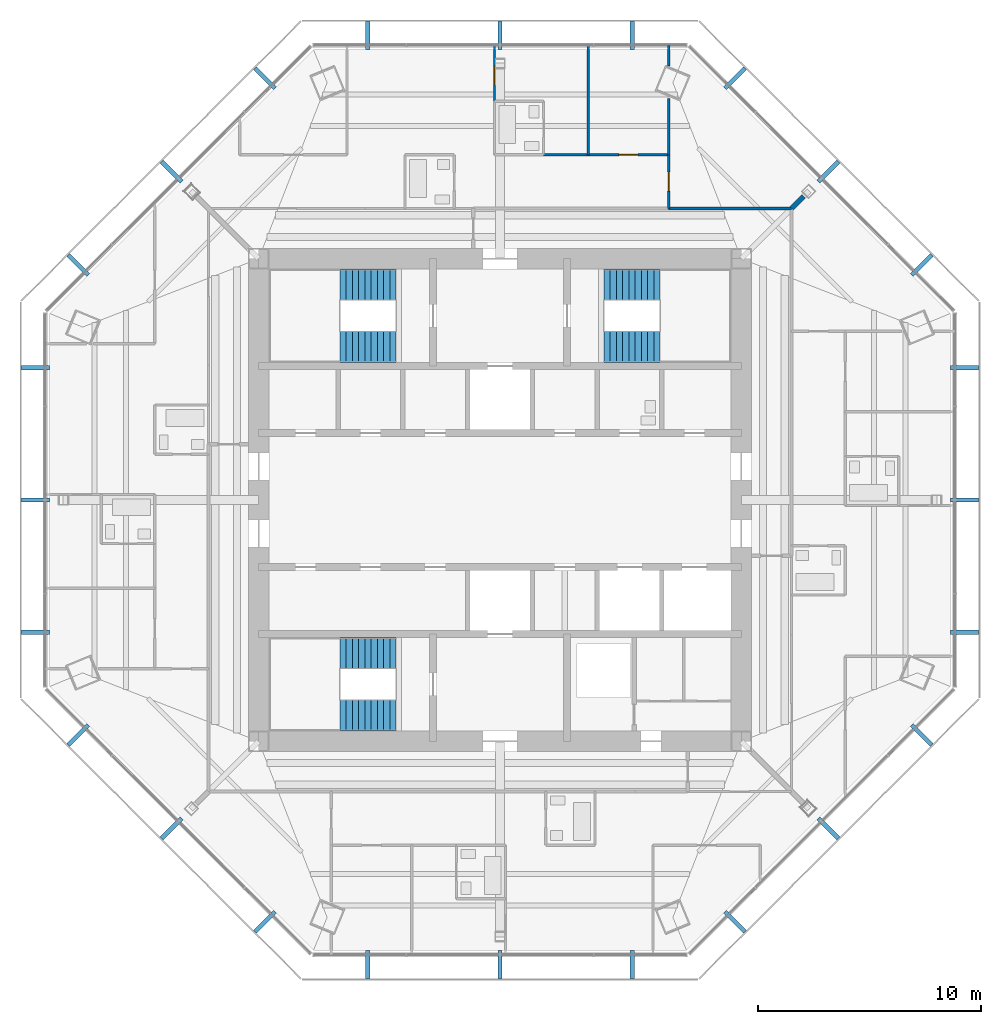
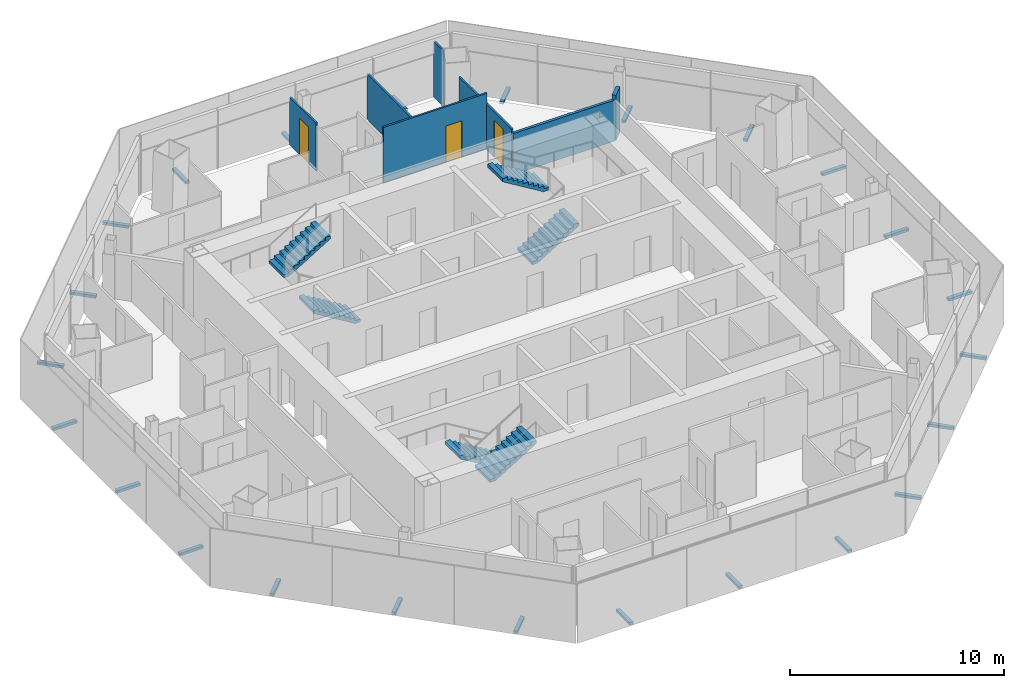
# One storey, part 13 of 15: 24 discrete accessories, 8 walls, 6 stair flights, 3 doors, 3 openings, 3 elements without a shape of their own.
"""IFC4 building model written with IfcOpenShell, lengths in metres."""

from ifc_helpers import new_model, si_unit, direction, frame, frame_2d, origin, origin_2d, place, context, subcontext, project, spatial, polyline, rectangle, outline, extrude, source, transform, mapped, material, layer, layer_set, type_object, type_shapes, element, fill, aggregate, save


model = new_model("IFC4")

# Units and contexts
model_context = context("Model", 3, precision=1e-05, world=origin(), true_north=direction((0.0, 1.0)))
body_context = subcontext(model_context, "Body", "Model", "MODEL_VIEW")
ifc_project = project(units=[si_unit("LENGTHUNIT", "METRE"), si_unit("AREAUNIT", "SQUARE_METRE"), si_unit("VOLUMEUNIT", "CUBIC_METRE"), si_unit("PLANEANGLEUNIT", "RADIAN"), si_unit("MASSUNIT", "GRAM", prefix="KILO")], contexts=[model_context])

# Site, building, storey
site_placement = place(None, origin())
site = spatial("IfcSite", under=ifc_project, at=site_placement, CompositionType="ELEMENT")
building_placement = place(site_placement, origin())
building = spatial("IfcBuilding", under=site, at=building_placement, Name="Mashrafa Tower", CompositionType="ELEMENT")
storey_placement = place(building_placement, frame((0.0, 0.0, 270.800048828125)))
storey = spatial("IfcBuildingStorey", under=building, at=storey_placement, Name="L65", CompositionType="ELEMENT", Elevation=270.800048828125)

# Walls
ifc_material_1 = material(Name="Gypsum board on steel studs", Category="steel")
ifc_layer_1 = layer(ifc_material_1, 0.199951171875)
ifc_layer_set_1 = layer_set([ifc_layer_1], Name="Acoustic partition 200 1 hr")
wall_type_1 = type_object("IfcWallType", Name="Acoustic partition 200 1 hr", PredefinedType="PARTITIONING", material=ifc_layer_set_1)
wall_1_placement = place(storey_placement, frame((13.586181640625, 13.586181640625, 0.0), z_axis=(0.0, 0.0, 1.0), x_axis=(-0.707106781187, -0.707106781187, 0.0)))
element("IfcWall", 1, at=wall_1_placement, inside=storey, type_object=wall_type_1, Name="Acoustic wall L65-046", PredefinedType="PARTITIONING", context=body_context, shape_type="SweptSolid", body=[
    extrude(rectangle(XDim=0.75830078125, YDim=0.199951171875, at=frame_2d((0.379150390625, 0.0))), origin(), (0.0, 0.0, 1.0), 2.590576171875),
])
ifc_material_2 = material(Name="Gypsum board on steel studs", Category="steel")
ifc_layer_2 = layer(ifc_material_2, 0.14990234375)
ifc_layer_set_2 = layer_set([ifc_layer_2], Name="Corridor partition 150 1 hr")
wall_type_2 = type_object("IfcWallType", Name="Corridor partition 150 1 hr", PredefinedType="PARTITIONING", material=ifc_layer_set_2)
wall_2_placement = place(storey_placement, frame((13.050048828125, 13.050048828125, 0.0), z_axis=(0.0, 0.0, 1.0), x_axis=(-1.0, 0.0, 0.0)))
element("IfcWall", 2, at=wall_2_placement, inside=storey, type_object=wall_type_2, Name="Corridor wall L65-004", PredefinedType="PARTITIONING", context=body_context, shape_type="SweptSolid", body=[
    extrude(rectangle(XDim=5.5009765625, YDim=0.14990234375, at=frame_2d((2.75048828125, 0.0))), origin(), (0.0, 0.0, 1.0), 2.349365234375),
])
ifc_material_3 = material(Name="Gypsum board on steel studs", Category="steel")
ifc_layer_3 = layer(ifc_material_3, 0.10009765625)
ifc_layer_set_3 = layer_set([ifc_layer_3], Name="Partition 100")
wall_type_3 = type_object("IfcWallType", Name="Partition 100", PredefinedType="PARTITIONING", material=ifc_layer_set_3)
wall_3_placement = place(storey_placement, frame((3.949951171875, 15.449951171875, 0.0), z_axis=(0.0, 0.0, 1.0), x_axis=(0.0, 1.0, 0.0)))
element("IfcWall", 3, at=wall_3_placement, inside=storey, type_object=wall_type_3, Name="Partition wall L65-058", PredefinedType="PARTITIONING", context=body_context, shape_type="SweptSolid", body=[
    extrude(rectangle(XDim=4.88623046875, YDim=0.10009765625, at=frame_2d((2.443115234375, 0.0))), origin(), (0.0, 0.0, 1.0), 2.590576171875),
])

# Wall, opening, door
wall_4_placement = place(storey_placement, frame((-0.25, 20.338134765625, 0.0), z_axis=(0.0, 0.0, 1.0), x_axis=(0.0, -1.0, 0.0)))
wall_4 = element("IfcWall", 4, at=wall_4_placement, inside=storey, type_object=wall_type_3, Name="Partition wall L65-059", PredefinedType="PARTITIONING", context=body_context, shape_type="SweptSolid", body=[
    extrude(rectangle(XDim=2.488037109375, YDim=0.10009765625, at=frame_2d((1.244140625, 0.0))), origin(), (0.0, 0.0, 1.0), 2.740234375),
])
opening_1_placement = place(wall_4_placement, frame((0.930908203125, 0.0, 0.0)))
opening_1 = element("IfcOpeningElement", 5, at=opening_1_placement, cuts=wall_4, Name="Opening 65.013", PredefinedType="OPENING", context=body_context, shape_type="SweptSolid", body=[
    extrude(rectangle(XDim=0.85009765625, YDim=2.10009765625, at=frame_2d((0.425048828125, 1.050048828125))), frame((0.0, 0.06005859375, 0.0), z_axis=(0.0, -1.0, 0.0), x_axis=(1.0, 0.0, 0.0)), (0.0, 0.0, 1.0), 0.1201171875),
])
ifc_material_4 = material(Name="Timber door", Category="wood")
door_type = type_object("IfcDoorType", Name="Bedroom door 850 x 2100", OperationType="USERDEFINED", PredefinedType="DOOR", material=ifc_material_4)
door_1_placement = place(opening_1_placement, frame((0.85009765625, 0.0, 0.0), z_axis=(0.0, 0.0, 1.0), x_axis=(-1.0, 0.0, 0.0)))
door_1 = element("IfcDoor", 6, at=door_1_placement, inside=storey, type_object=door_type, Name="Apartment 6502 Bedroom 1 door", OperationType="SINGLE_SWING_RIGHT", OverallHeight=2.10009765625, OverallWidth=0.85009765625, PredefinedType="DOOR", context=body_context, shape_type="SweptSolid", body=[
    extrude(rectangle(XDim=0.85009765625, YDim=2.10009765625, at=frame_2d((0.425048828125, 1.050048828125))), frame((0.0, 0.02490234375, 0.0), z_axis=(0.0, -1.0, 0.0), x_axis=(1.0, 0.0, 0.0)), (0.0, 0.0, 1.0), 0.050048828125),
])
fill(opening_1, door_1)

wall_5_placement = place(storey_placement, frame((1.949951171875, 15.449951171875, 0.0), z_axis=(0.0, 0.0, 1.0), x_axis=(1.0, 0.0, 0.0)))
wall_5 = element("IfcWall", 7, at=wall_5_placement, inside=storey, type_object=wall_type_3, Name="Partition wall L65-060", PredefinedType="PARTITIONING", context=body_context, shape_type="SweptSolid", body=[
    extrude(rectangle(XDim=5.60009765625, YDim=0.10009765625, at=frame_2d((2.800048828125, 0.0))), origin(), (0.0, 0.0, 1.0), 3.199951171875),
])
opening_2_placement = place(wall_5_placement, frame((3.375, 0.0, 0.0)))
opening_2 = element("IfcOpeningElement", 8, at=opening_2_placement, cuts=wall_5, Name="Opening 65.014", PredefinedType="OPENING", context=body_context, shape_type="SweptSolid", body=[
    extrude(rectangle(XDim=0.85009765625, YDim=2.10009765625, at=frame_2d((0.425048828125, 1.050048828125))), frame((0.0, 0.06005859375, 0.0), z_axis=(0.0, -1.0, 0.0), x_axis=(1.0, 0.0, 0.0)), (0.0, 0.0, 1.0), 0.1201171875),
])
door_2_placement = place(opening_2_placement, origin())
door_2 = element("IfcDoor", 9, at=door_2_placement, inside=storey, type_object=door_type, Name="Apartment 6502 Bedroom 2 door", OperationType="SINGLE_SWING_LEFT", OverallHeight=2.10009765625, OverallWidth=0.85009765625, PredefinedType="DOOR", context=body_context, shape_type="SweptSolid", body=[
    extrude(rectangle(XDim=0.85009765625, YDim=2.10009765625, at=frame_2d((0.425048828125, 1.050048828125))), frame((0.0, 0.02490234375, 0.0), z_axis=(0.0, -1.0, 0.0), x_axis=(1.0, 0.0, 0.0)), (0.0, 0.0, 1.0), 0.050048828125),
])
fill(opening_2, door_2)

# Walls
wall_6_placement = place(storey_placement, frame((7.550048828125, 15.449951171875, 0.0), z_axis=(0.0, 0.0, 1.0), x_axis=(0.0, 1.0, 0.0)))
element("IfcWall", 10, at=wall_6_placement, inside=storey, type_object=wall_type_3, Name="Partition wall L65-061", PredefinedType="PARTITIONING", context=body_context, shape_type="SweptSolid", body=[
    extrude(rectangle(XDim=2.52001953125, YDim=0.10009765625, at=frame_2d((1.260009765625, 0.0))), origin(), (0.0, 0.0, 1.0), 2.590576171875),
])
wall_7_placement = place(storey_placement, frame((7.550048828125, 19.423095703125, 0.0), z_axis=(0.0, 0.0, 1.0), x_axis=(0.0, 1.0, 0.0)))
element("IfcWall", 11, at=wall_7_placement, inside=storey, type_object=wall_type_3, Name="Partition wall L65-062", PredefinedType="PARTITIONING", context=body_context, shape_type="SweptSolid", body=[
    extrude(rectangle(XDim=0.9130859375, YDim=0.10009765625, at=frame_2d((0.45654296875, 0.0))), origin(), (0.0, 0.0, 1.0), 3.199951171875),
])

# Wall, opening, door
wall_8_placement = place(storey_placement, frame((7.550048828125, 15.450927734375, 0.0), z_axis=(0.0, 0.0, 1.0), x_axis=(0.0, -1.0, 0.0)))
wall_8 = element("IfcWall", 12, at=wall_8_placement, inside=storey, type_object=wall_type_3, Name="Partition wall L65-064", PredefinedType="PARTITIONING", context=body_context, shape_type="SweptSolid", body=[
    extrude(rectangle(XDim=2.40087890625, YDim=0.10009765625, at=frame_2d((1.200439453125, 0.0))), origin(), (0.0, 0.0, 1.0), 2.590576171875),
])
opening_3_placement = place(wall_8_placement, frame((0.775390625, 0.0, 0.0)))
opening_3 = element("IfcOpeningElement", 13, at=opening_3_placement, cuts=wall_8, Name="Opening 65.015", PredefinedType="OPENING", context=body_context, shape_type="SweptSolid", body=[
    extrude(rectangle(XDim=0.85009765625, YDim=2.10009765625, at=frame_2d((0.425048828125, 1.050048828125))), frame((0.0, 0.06005859375, 0.0), z_axis=(0.0, -1.0, 0.0), x_axis=(1.0, 0.0, 0.0)), (0.0, 0.0, 1.0), 0.1201171875),
])
door_3_placement = place(opening_3_placement, origin())
door_3 = element("IfcDoor", 14, at=door_3_placement, inside=storey, type_object=door_type, Name="Apartment 6502 Bedroom 3 door", OperationType="SINGLE_SWING_RIGHT", OverallHeight=2.10009765625, OverallWidth=0.85009765625, PredefinedType="DOOR", context=body_context, shape_type="SweptSolid", body=[
    extrude(rectangle(XDim=0.85009765625, YDim=2.10009765625, at=frame_2d((0.425048828125, 1.050048828125))), frame((0.0, 0.02490234375, 0.0), z_axis=(0.0, -1.0, 0.0), x_axis=(1.0, 0.0, 0.0)), (0.0, 0.0, 1.0), 0.050048828125),
])
fill(opening_3, door_3)

# Stair, stair flights
ifc_material_5 = material(Name="Exit stair 1400")
stair_type = type_object("IfcStairType", Name="Exit stair 1400", PredefinedType="HALF_TURN_STAIR", material=ifc_material_5)
stair_1_placement = place(storey_placement, origin())
stair_1 = element("IfcStair", 15, at=stair_1_placement, inside=storey, type_object=stair_type, Name="Stair S1 L65", PredefinedType="HALF_TURN_STAIR")
ifc_material_6 = material(Name="Concrete C32/40", Category="concrete")
stair_flight_type = type_object("IfcStairFlightType", Name="Stair flight 1400", PredefinedType="STRAIGHT", material=ifc_material_6)
stair_flight_1_placement = place(storey_placement, frame((-4.64990234375, 6.85009765625, 0.0), z_axis=(0.0, 0.0, 1.0), x_axis=(-1.0, 0.0, 0.0)))
stair_flight_1 = element("IfcStairFlight", 16, at=stair_flight_1_placement, type_object=stair_flight_type, Name="S1 flight 1", NumberOfRisers=10, NumberOfTreads=9, PredefinedType="STRAIGHT", RiserHeight=0.17, TreadLength=0.28, context=body_context, shape_type="SweptSolid", body=[
    extrude(outline(polyline([(0.0, 0.0), (0.0, 0.169921875), (0.280029296875, 0.169921875), (0.280029296875, 0.340087890625), (0.56005859375, 0.340087890625), (0.56005859375, 0.510009765625), (0.840087890625, 0.510009765625), (0.840087890625, 0.679931640625), (1.1201171875, 0.679931640625), (1.1201171875, 0.85009765625), (1.39990234375, 0.85009765625), (1.39990234375, 1.02001953125), (1.679931640625, 1.02001953125), (1.679931640625, 1.18994140625), (1.9599609375, 1.18994140625), (1.9599609375, 1.360107421875), (2.239990234375, 1.360107421875), (2.239990234375, 1.530029296875), (2.52001953125, 1.530029296875), (2.52001953125, 1.699951171875), (2.52001953125, 1.354736328125), (0.288818359375, 0.0), (0.0, 0.0)])), frame((0.0, 0.699951171875, 0.0), z_axis=(0.0, -1.0, 0.0), x_axis=(1.0, 0.0, 0.0)), (0.0, 0.0, 1.0), 1.39990234375),
])
stair_flight_2_placement = place(storey_placement, frame((-7.169921875, 9.64990234375, 1.699951171875), z_axis=(0.0, 0.0, 1.0), x_axis=(1.0, 0.0, 0.0)))
stair_flight_2 = element("IfcStairFlight", 17, at=stair_flight_2_placement, type_object=stair_flight_type, Name="S1 flight 2", NumberOfRisers=10, NumberOfTreads=9, PredefinedType="STRAIGHT", RiserHeight=0.17, TreadLength=0.28, context=body_context, shape_type="SweptSolid", body=[
    extrude(outline(polyline([(0.0, 0.0), (0.0, 0.169921875), (0.280029296875, 0.169921875), (0.280029296875, 0.340087890625), (0.56005859375, 0.340087890625), (0.56005859375, 0.510009765625), (0.840087890625, 0.510009765625), (0.840087890625, 0.679931640625), (1.1201171875, 0.679931640625), (1.1201171875, 0.85009765625), (1.39990234375, 0.85009765625), (1.39990234375, 1.02001953125), (1.679931640625, 1.02001953125), (1.679931640625, 1.18994140625), (1.9599609375, 1.18994140625), (1.9599609375, 1.360107421875), (2.239990234375, 1.360107421875), (2.239990234375, 1.530029296875), (2.52001953125, 1.530029296875), (2.52001953125, 1.699951171875), (2.52001953125, 1.354736328125), (0.288818359375, 0.0), (0.0, 0.0)])), frame((0.0, 0.699951171875, 0.0), z_axis=(0.0, -1.0, 0.0), x_axis=(1.0, 0.0, 0.0)), (0.0, 0.0, 1.0), 1.39990234375),
])
aggregate(stair_1, [stair_flight_1, stair_flight_2])

stair_2_placement = place(storey_placement, origin())
stair_2 = element("IfcStair", 18, at=stair_2_placement, inside=storey, type_object=stair_type, Name="Stair S2 L65", PredefinedType="HALF_TURN_STAIR")
stair_flight_3_placement = place(storey_placement, frame((4.64990234375, 6.85009765625, 0.0), z_axis=(0.0, 0.0, 1.0), x_axis=(1.0, 0.0, 0.0)))
stair_flight_3 = element("IfcStairFlight", 19, at=stair_flight_3_placement, type_object=stair_flight_type, Name="S2 flight 1", NumberOfRisers=10, NumberOfTreads=9, PredefinedType="STRAIGHT", RiserHeight=0.17, TreadLength=0.28, context=body_context, shape_type="SweptSolid", body=[
    extrude(outline(polyline([(0.0, 0.0), (0.0, 0.169921875), (0.280029296875, 0.169921875), (0.280029296875, 0.340087890625), (0.56005859375, 0.340087890625), (0.56005859375, 0.510009765625), (0.840087890625, 0.510009765625), (0.840087890625, 0.679931640625), (1.1201171875, 0.679931640625), (1.1201171875, 0.85009765625), (1.39990234375, 0.85009765625), (1.39990234375, 1.02001953125), (1.679931640625, 1.02001953125), (1.679931640625, 1.18994140625), (1.9599609375, 1.18994140625), (1.9599609375, 1.360107421875), (2.239990234375, 1.360107421875), (2.239990234375, 1.530029296875), (2.52001953125, 1.530029296875), (2.52001953125, 1.699951171875), (2.52001953125, 1.354736328125), (0.288818359375, 0.0), (0.0, 0.0)])), frame((0.0, 0.699951171875, 0.0), z_axis=(0.0, -1.0, 0.0), x_axis=(1.0, 0.0, 0.0)), (0.0, 0.0, 1.0), 1.39990234375),
])
stair_flight_4_placement = place(storey_placement, frame((7.169921875, 9.64990234375, 1.699951171875), z_axis=(0.0, 0.0, 1.0), x_axis=(-1.0, 0.0, 0.0)))
stair_flight_4 = element("IfcStairFlight", 20, at=stair_flight_4_placement, type_object=stair_flight_type, Name="S2 flight 2", NumberOfRisers=10, NumberOfTreads=9, PredefinedType="STRAIGHT", RiserHeight=0.17, TreadLength=0.28, context=body_context, shape_type="SweptSolid", body=[
    extrude(outline(polyline([(0.0, 0.0), (0.0, 0.169921875), (0.280029296875, 0.169921875), (0.280029296875, 0.340087890625), (0.56005859375, 0.340087890625), (0.56005859375, 0.510009765625), (0.840087890625, 0.510009765625), (0.840087890625, 0.679931640625), (1.1201171875, 0.679931640625), (1.1201171875, 0.85009765625), (1.39990234375, 0.85009765625), (1.39990234375, 1.02001953125), (1.679931640625, 1.02001953125), (1.679931640625, 1.18994140625), (1.9599609375, 1.18994140625), (1.9599609375, 1.360107421875), (2.239990234375, 1.360107421875), (2.239990234375, 1.530029296875), (2.52001953125, 1.530029296875), (2.52001953125, 1.699951171875), (2.52001953125, 1.354736328125), (0.288818359375, 0.0), (0.0, 0.0)])), frame((0.0, 0.699951171875, 0.0), z_axis=(0.0, -1.0, 0.0), x_axis=(1.0, 0.0, 0.0)), (0.0, 0.0, 1.0), 1.39990234375),
])
aggregate(stair_2, [stair_flight_3, stair_flight_4])

stair_3_placement = place(storey_placement, origin())
stair_3 = element("IfcStair", 21, at=stair_3_placement, inside=storey, type_object=stair_type, Name="Stair S3 L65", PredefinedType="HALF_TURN_STAIR")
stair_flight_5_placement = place(storey_placement, frame((-4.64990234375, -6.85009765625, 0.0), z_axis=(0.0, 0.0, 1.0), x_axis=(-1.0, 0.0, 0.0)))
stair_flight_5 = element("IfcStairFlight", 22, at=stair_flight_5_placement, type_object=stair_flight_type, Name="S3 flight 1", NumberOfRisers=10, NumberOfTreads=9, PredefinedType="STRAIGHT", RiserHeight=0.17, TreadLength=0.28, context=body_context, shape_type="SweptSolid", body=[
    extrude(outline(polyline([(0.0, 0.0), (0.0, 0.169921875), (0.280029296875, 0.169921875), (0.280029296875, 0.340087890625), (0.56005859375, 0.340087890625), (0.56005859375, 0.510009765625), (0.840087890625, 0.510009765625), (0.840087890625, 0.679931640625), (1.1201171875, 0.679931640625), (1.1201171875, 0.85009765625), (1.39990234375, 0.85009765625), (1.39990234375, 1.02001953125), (1.679931640625, 1.02001953125), (1.679931640625, 1.18994140625), (1.9599609375, 1.18994140625), (1.9599609375, 1.360107421875), (2.239990234375, 1.360107421875), (2.239990234375, 1.530029296875), (2.52001953125, 1.530029296875), (2.52001953125, 1.699951171875), (2.52001953125, 1.354736328125), (0.288818359375, 0.0), (0.0, 0.0)])), frame((0.0, 0.699951171875, 0.0), z_axis=(0.0, -1.0, 0.0), x_axis=(1.0, 0.0, 0.0)), (0.0, 0.0, 1.0), 1.39990234375),
])
stair_flight_6_placement = place(storey_placement, frame((-7.169921875, -9.64990234375, 1.699951171875), z_axis=(0.0, 0.0, 1.0), x_axis=(1.0, 0.0, 0.0)))
stair_flight_6 = element("IfcStairFlight", 23, at=stair_flight_6_placement, type_object=stair_flight_type, Name="S3 flight 2", NumberOfRisers=10, NumberOfTreads=9, PredefinedType="STRAIGHT", RiserHeight=0.17, TreadLength=0.28, context=body_context, shape_type="SweptSolid", body=[
    extrude(outline(polyline([(0.0, 0.0), (0.0, 0.169921875), (0.280029296875, 0.169921875), (0.280029296875, 0.340087890625), (0.56005859375, 0.340087890625), (0.56005859375, 0.510009765625), (0.840087890625, 0.510009765625), (0.840087890625, 0.679931640625), (1.1201171875, 0.679931640625), (1.1201171875, 0.85009765625), (1.39990234375, 0.85009765625), (1.39990234375, 1.02001953125), (1.679931640625, 1.02001953125), (1.679931640625, 1.18994140625), (1.9599609375, 1.18994140625), (1.9599609375, 1.360107421875), (2.239990234375, 1.360107421875), (2.239990234375, 1.530029296875), (2.52001953125, 1.530029296875), (2.52001953125, 1.699951171875), (2.52001953125, 1.354736328125), (0.288818359375, 0.0), (0.0, 0.0)])), frame((0.0, 0.699951171875, 0.0), z_axis=(0.0, -1.0, 0.0), x_axis=(1.0, 0.0, 0.0)), (0.0, 0.0, 1.0), 1.39990234375),
])
aggregate(stair_3, [stair_flight_5, stair_flight_6])

# Discrete accessories
ifc_material_7 = material(Name="Stainless steel screen bracket", Category="steel")
discrete_accessory_type = type_object("IfcDiscreteAccessoryType", Name="Screen support bracket 200 x 150", PredefinedType="BRACKET", material=ifc_material_7)
shared_shape = source(origin(), body_context, "Body", "SweptSolid", [
    extrude(rectangle(XDim=0.199951171875, YDim=1.27001953125, at=origin_2d()), origin(), (0.0, 0.0, 1.0), 0.14990234375),
])
type_shapes(discrete_accessory_type, [shared_shape])
for number, where, z_axis, x_axis, name in (
    (24, (20.7890625, -5.909423828125, -0.14990234375), (0.0, 0.0, 1.0), (0.0, 1.0, 0.0), "Screen support bracket L65 east 1"),
    (25, (20.7890625, 0.0, -0.14990234375), (0.0, 0.0, 1.0), (0.0, 1.0, 0.0), "Screen support bracket L65 east 2"),
    (26, (20.7890625, 5.909423828125, -0.14990234375), (0.0, 0.0, 1.0), (0.0, 1.0, 0.0), "Screen support bracket L65 east 3"),
    (27, (18.878662109375, 10.521484375, -0.14990234375), (0.0, 0.0, 1.0), (-0.707106781187, 0.707106781187, 0.0), "Screen support bracket L65 north-east 1"),
    (28, (14.7001953125, 14.7001953125, -0.14990234375), (0.0, 0.0, 1.0), (-0.707106781187, 0.707106781187, 0.0), "Screen support bracket L65 north-east 2"),
    (29, (10.521484375, 18.878662109375, -0.14990234375), (0.0, 0.0, 1.0), (-0.707106781187, 0.707106781187, 0.0), "Screen support bracket L65 north-east 3"),
    (30, (5.909423828125, 20.7890625, -0.14990234375), (0.0, 0.0, 1.0), (-1.0, 0.0, 0.0), "Screen support bracket L65 north 1"),
    (31, (0.0, 20.7890625, -0.14990234375), (0.0, 0.0, 1.0), (-1.0, 0.0, 0.0), "Screen support bracket L65 north 2"),
    (32, (-5.909423828125, 20.7890625, -0.14990234375), (0.0, 0.0, 1.0), (-1.0, 0.0, 0.0), "Screen support bracket L65 north 3"),
    (33, (-10.521484375, 18.878662109375, -0.14990234375), (0.0, 0.0, 1.0), (-0.707106781187, -0.707106781187, 0.0), "Screen support bracket L65 north-west 1"),
    (34, (-14.7001953125, 14.7001953125, -0.14990234375), (0.0, 0.0, 1.0), (-0.707106781187, -0.707106781187, 0.0), "Screen support bracket L65 north-west 2"),
    (35, (-18.878662109375, 10.521484375, -0.14990234375), (0.0, 0.0, 1.0), (-0.707106781187, -0.707106781187, 0.0), "Screen support bracket L65 north-west 3"),
    (36, (-20.7890625, 5.909423828125, -0.14990234375), (0.0, 0.0, 1.0), (0.0, -1.0, 0.0), "Screen support bracket L65 west 1"),
    (37, (-20.7890625, 0.0, -0.14990234375), (0.0, 0.0, 1.0), (0.0, -1.0, 0.0), "Screen support bracket L65 west 2"),
    (38, (-20.7890625, -5.909423828125, -0.14990234375), (0.0, 0.0, 1.0), (0.0, -1.0, 0.0), "Screen support bracket L65 west 3"),
    (39, (-18.878662109375, -10.521484375, -0.14990234375), (0.0, 0.0, 1.0), (0.707106781187, -0.707106781187, 0.0), "Screen support bracket L65 south-west 1"),
    (40, (-14.7001953125, -14.7001953125, -0.14990234375), (0.0, 0.0, 1.0), (0.707106781187, -0.707106781187, 0.0), "Screen support bracket L65 south-west 2"),
    (41, (-10.521484375, -18.878662109375, -0.14990234375), (0.0, 0.0, 1.0), (0.707106781187, -0.707106781187, 0.0), "Screen support bracket L65 south-west 3"),
    (42, (-5.909423828125, -20.7890625, -0.14990234375), (0.0, 0.0, 1.0), (1.0, 0.0, 0.0), "Screen support bracket L65 south 1"),
    (43, (0.0, -20.7890625, -0.14990234375), (0.0, 0.0, 1.0), (1.0, 0.0, 0.0), "Screen support bracket L65 south 2"),
    (44, (5.909423828125, -20.7890625, -0.14990234375), (0.0, 0.0, 1.0), (1.0, 0.0, 0.0), "Screen support bracket L65 south 3"),
    (45, (10.521484375, -18.878662109375, -0.14990234375), (0.0, 0.0, 1.0), (0.707106781187, 0.707106781187, 0.0), "Screen support bracket L65 south-east 1"),
    (46, (14.7001953125, -14.7001953125, -0.14990234375), (0.0, 0.0, 1.0), (0.707106781187, 0.707106781187, 0.0), "Screen support bracket L65 south-east 2"),
    (47, (18.878662109375, -10.521484375, -0.14990234375), (0.0, 0.0, 1.0), (0.707106781187, 0.707106781187, 0.0), "Screen support bracket L65 south-east 3"),
):
    element("IfcDiscreteAccessory", number, at=place(storey_placement, frame(where, z_axis=z_axis, x_axis=x_axis)), inside=storey, type_object=discrete_accessory_type, Name=name, PredefinedType="BRACKET", context=body_context, shape_type="MappedRepresentation", body=[
        mapped(shared_shape, transform((0.0, 0.0, 0.0))),
    ])

save(model, "model.ifc")
